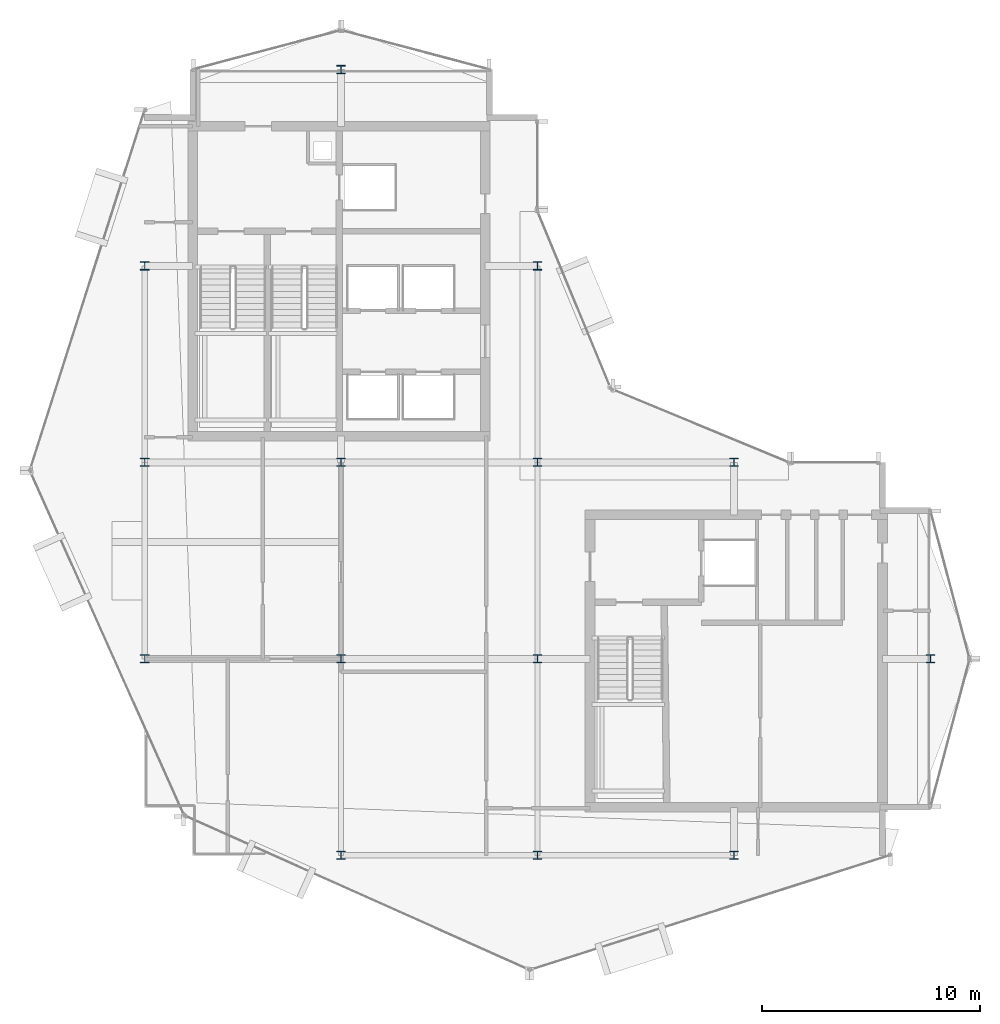
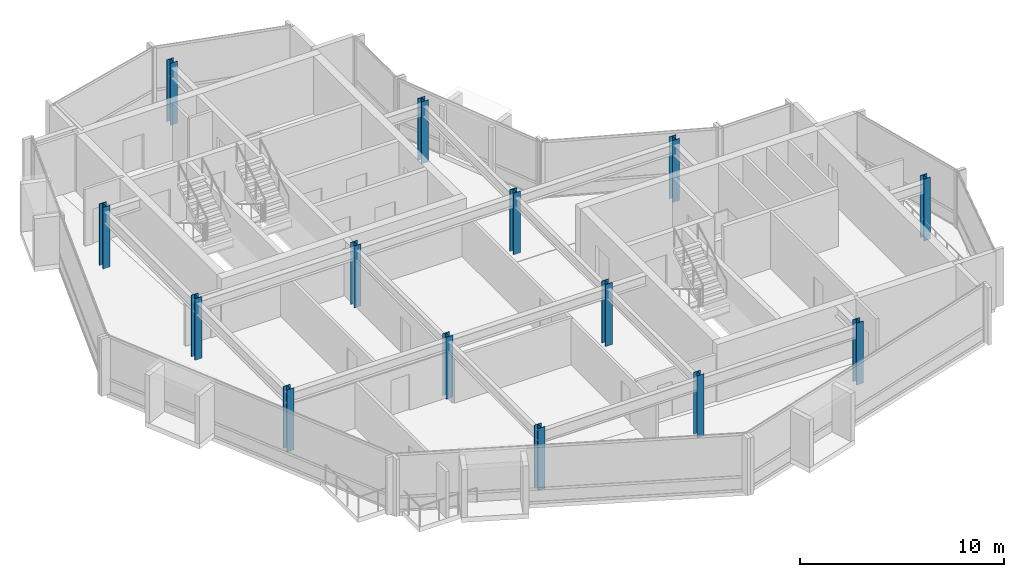
# One storey, part 1 of 19: 14 columns.
"""IFC4 building model written with IfcOpenShell, lengths in metres."""

from ifc_helpers import new_model, si_unit, direction, frame, origin, origin_2d, place, context, subcontext, project, spatial, i_section, extrude, material, material_profile, profile_set, type_object, element, save


model = new_model("IFC4")

# Units and contexts
model_context = context("Model", 3, precision=1e-05, world=origin(), true_north=direction((0.0, 1.0)))
body_context = subcontext(model_context, "Body", "Model", "MODEL_VIEW")
ifc_project = project(units=[si_unit("LENGTHUNIT", "METRE"), si_unit("AREAUNIT", "SQUARE_METRE"), si_unit("VOLUMEUNIT", "CUBIC_METRE"), si_unit("PLANEANGLEUNIT", "RADIAN"), si_unit("MASSUNIT", "GRAM", prefix="KILO")], contexts=[model_context])

# Site, building, storey
site_placement = place(None, origin())
site = spatial("IfcSite", under=ifc_project, at=site_placement, CompositionType="ELEMENT")
building_placement = place(site_placement, origin())
building = spatial("IfcBuilding", under=site, at=building_placement, Name="Solvaryn Broadcast Tower", CompositionType="ELEMENT")
storey_placement = place(building_placement, frame((0.0, 0.0, 270.39990234375)))
storey = spatial("IfcBuildingStorey", under=building, at=storey_placement, Name="L68", CompositionType="ELEMENT", Elevation=270.39990234375)

# Columns
ifc_material_1 = material(Name="Steel ASTM A913 Grade 65", Category="steel")
ifc_material_profile_1 = material_profile(ifc_material_1, i_section(OverallWidth=0.39404296875, OverallDepth=0.375, WebThickness=0.017333984375, FlangeThickness=0.027587890625, FilletRadius=0.014892578125, at=origin_2d()))
ifc_profile_set_1 = profile_set([ifc_material_profile_1], Name="Steel ASTM A913 Grade 65")
column_type_1 = type_object("IfcColumnType", Name="COL-C10E-W14X145", PredefinedType="COLUMN", material=ifc_profile_set_1)
for number, where, z_axis, x_axis, name in (
    (1, (9.0, 18.0, 0.0), (0.0, 0.0, 1.0), (1.0, 0.0, 0.0), "L68 Column (9.0, 18.0)"),
    (2, (9.0, 27.0, 0.0), (0.0, 0.0, 1.0), (1.0, 0.0, 0.0), "L68 Column (9.0, 27.0)"),
    (3, (9.0, 36.0, 0.0), (0.0, 0.0, 1.0), (1.0, 0.0, 0.0), "L68 Column (9.0, 36.0)"),
    (4, (18.0, 9.0, 0.0), (0.0, 0.0, 1.0), (1.0, 0.0, 0.0), "L68 Column (18.0, 9.0)"),
    (5, (18.0, 45.0, 0.0), (0.0, 0.0, 1.0), (1.0, 0.0, 0.0), "L68 Column (18.0, 45.0)"),
    (6, (27.0, 9.0, 0.0), (0.0, 0.0, 1.0), (1.0, 0.0, 0.0), "L68 Column (27.0, 9.0)"),
    (7, (27.0, 36.0, 0.0), (0.0, 0.0, 1.0), (1.0, 0.0, 0.0), "L68 Column (27.0, 36.0)"),
    (8, (36.0, 9.0, 0.0), (0.0, 0.0, 1.0), (1.0, 0.0, 0.0), "L68 Column (36.0, 9.0)"),
    (9, (36.0, 27.0, 0.0), (0.0, 0.0, 1.0), (1.0, 0.0, 0.0), "L68 Column (36.0, 27.0)"),
    (10, (45.0, 18.0, 0.0), (0.0, 0.0, 1.0), (1.0, 0.0, 0.0), "L68 Column (45.0, 18.0)"),
):
    element("IfcColumn", number, at=place(storey_placement, frame(where, z_axis=z_axis, x_axis=x_axis)), inside=storey, type_object=column_type_1, Name=name, PredefinedType="COLUMN", context=body_context, shape_type="SweptSolid", body=[
        extrude(i_section(OverallWidth=0.39404296875, OverallDepth=0.375, WebThickness=0.017333984375, FlangeThickness=0.027587890625, FilletRadius=0.014892578125, at=origin_2d()), origin(), (0.0, 0.0, 1.0), 3.7001953125),
    ])
ifc_material_2 = material(Name="Steel ASTM A913 Grade 65", Category="steel")
ifc_material_profile_2 = material_profile(ifc_material_2, i_section(OverallWidth=0.39404296875, OverallDepth=0.375, WebThickness=0.017333984375, FlangeThickness=0.027587890625, FilletRadius=0.014892578125, at=origin_2d()))
ifc_profile_set_2 = profile_set([ifc_material_profile_2], Name="Steel ASTM A913 Grade 65")
column_type_2 = type_object("IfcColumnType", Name="COL-C10I-W14X145", PredefinedType="COLUMN", material=ifc_profile_set_2)
for number, where, z_axis, x_axis, name in (
    (11, (18.0, 18.0, 0.0), (0.0, 0.0, 1.0), (1.0, 0.0, 0.0), "L68 Column (18.0, 18.0)"),
    (12, (18.0, 27.0, 0.0), (0.0, 0.0, 1.0), (1.0, 0.0, 0.0), "L68 Column (18.0, 27.0)"),
    (13, (27.0, 18.0, 0.0), (0.0, 0.0, 1.0), (1.0, 0.0, 0.0), "L68 Column (27.0, 18.0)"),
    (14, (27.0, 27.0, 0.0), (0.0, 0.0, 1.0), (1.0, 0.0, 0.0), "L68 Column (27.0, 27.0)"),
):
    element("IfcColumn", number, at=place(storey_placement, frame(where, z_axis=z_axis, x_axis=x_axis)), inside=storey, type_object=column_type_2, Name=name, PredefinedType="COLUMN", context=body_context, shape_type="SweptSolid", body=[
        extrude(i_section(OverallWidth=0.39404296875, OverallDepth=0.375, WebThickness=0.017333984375, FlangeThickness=0.027587890625, FilletRadius=0.014892578125, at=origin_2d()), origin(), (0.0, 0.0, 1.0), 3.7001953125),
    ])

save(model, "model.ifc")
